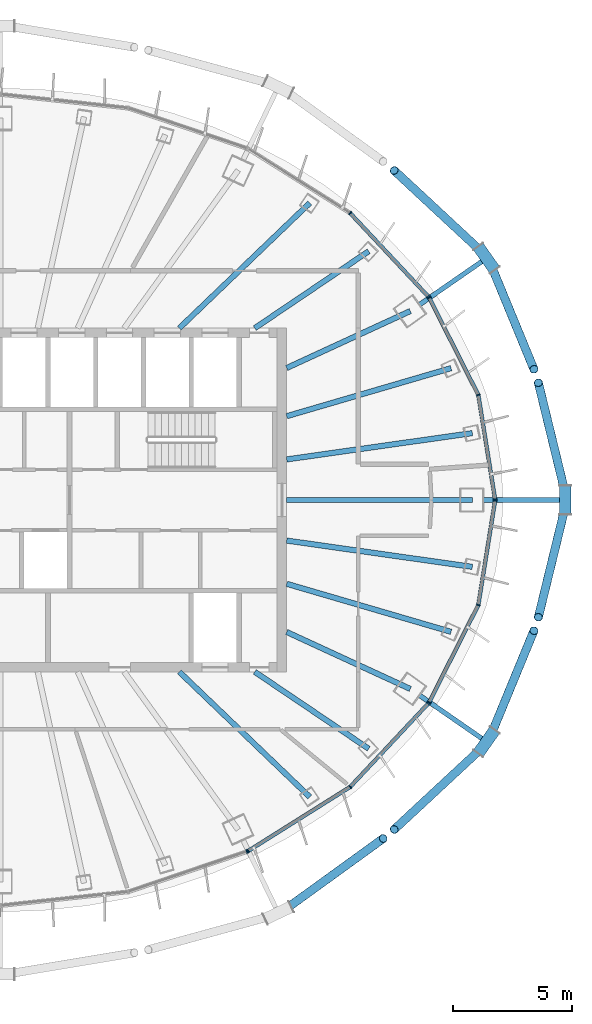
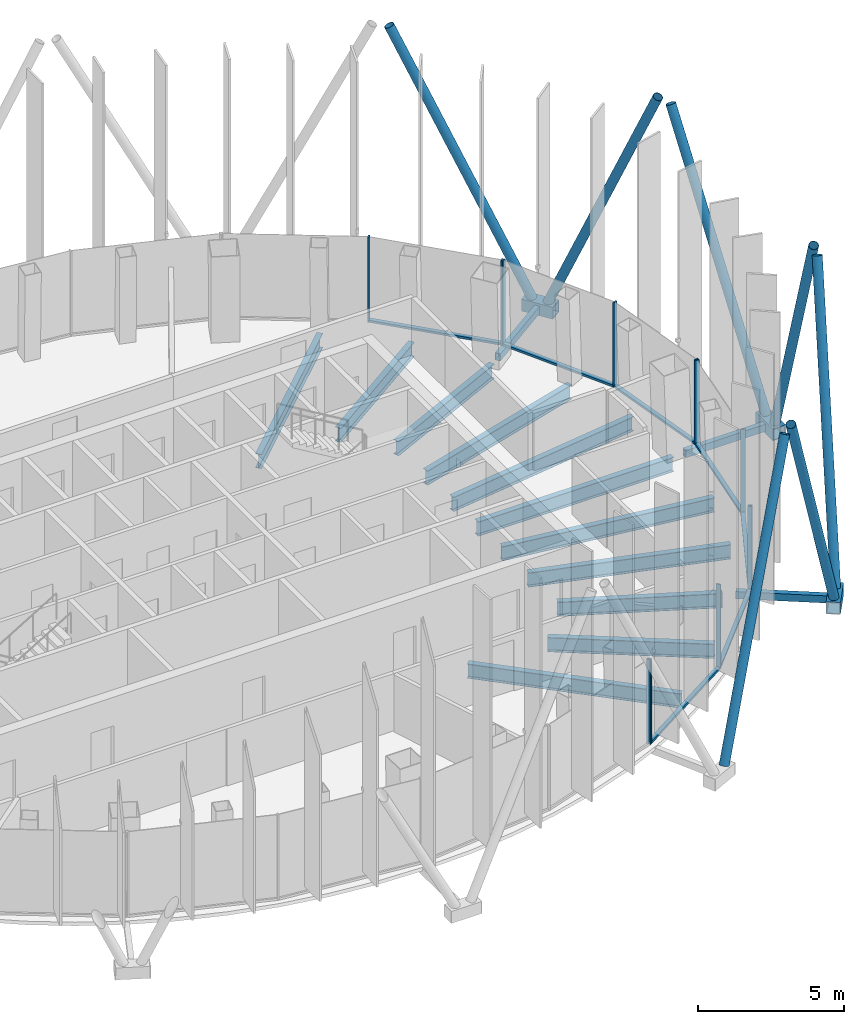
# One storey, part 6 of 19: 32 members, 11 beams, 5 elements without a shape of their own.
"""IFC4 building model written with IfcOpenShell, lengths in metres."""

from ifc_helpers import new_model, si_unit, direction, frame, origin, origin_2d, place, context, subcontext, project, spatial, rectangle, hollow_rectangle, hollow_circle, i_section, extrude, material, layer, layer_set, material_profile, profile_set, type_object, element, aggregate, save


model = new_model("IFC4")

# Units and contexts
model_context = context("Model", 3, precision=1e-05, world=origin(), true_north=direction((0.0, 1.0)))
body_context = subcontext(model_context, "Body", "Model", "MODEL_VIEW")
ifc_project = project(units=[si_unit("LENGTHUNIT", "METRE"), si_unit("AREAUNIT", "SQUARE_METRE"), si_unit("VOLUMEUNIT", "CUBIC_METRE"), si_unit("PLANEANGLEUNIT", "RADIAN"), si_unit("MASSUNIT", "GRAM", prefix="KILO")], contexts=[model_context])

# Site, building, storey
site_placement = place(None, origin())
site = spatial("IfcSite", under=ifc_project, at=site_placement, CompositionType="ELEMENT")
building_placement = place(site_placement, origin())
building = spatial("IfcBuilding", under=site, at=building_placement, Name="Siaravel Broadcast Tower", CompositionType="ELEMENT")
storey_placement = place(building_placement, frame((0.0, 0.0, 250.39990234375)))
storey = spatial("IfcBuildingStorey", under=building, at=storey_placement, Name="L61", CompositionType="ELEMENT", Elevation=250.39990234375)

# Beams
ifc_material_1 = material(Name="Steel S355", Category="steel")
ifc_material_profile_1 = material_profile(ifc_material_1, i_section(OverallWidth=0.2275390625, OverallDepth=0.6025390625, WebThickness=0.010498046875, FlangeThickness=0.014892578125, FilletRadius=0.0126953125, at=origin_2d()))
ifc_profile_set_1 = profile_set([ifc_material_profile_1], Name="Steel S355")
beam_type = type_object("IfcBeamType", Name="BM-UB 610x229x101", PredefinedType="BEAM", material=ifc_profile_set_1)
beam_1_placement = place(storey_placement, frame((19.775634765625, 0.0, -0.451171875), z_axis=(-1.0, 0.0, 0.0), x_axis=(0.0, -1.0, 0.0)))
element("IfcBeam", 1, at=beam_1_placement, inside=storey, type_object=beam_type, Name="Radial beam RB01", PredefinedType="BEAM", context=body_context, shape_type="SweptSolid", body=[
    extrude(i_section(OverallWidth=0.2275390625, OverallDepth=0.6025390625, WebThickness=0.010498046875, FlangeThickness=0.014892578125, FilletRadius=0.0126953125, at=origin_2d()), origin(), (0.0, 0.0, 1.0), 7.775634765625),
])
beam_2_placement = place(storey_placement, frame((19.776611328125, 2.801025390625, -0.451171875), z_axis=(-0.990120349, -0.140220164, 0.0), x_axis=(0.140220164, -0.990120349, 0.0)))
element("IfcBeam", 2, at=beam_2_placement, inside=storey, type_object=beam_type, Name="Radial beam RB02", PredefinedType="BEAM", context=body_context, shape_type="SweptSolid", body=[
    extrude(i_section(OverallWidth=0.2275390625, OverallDepth=0.6025390625, WebThickness=0.010498046875, FlangeThickness=0.014892578125, FilletRadius=0.0126953125, at=origin_2d()), origin(), (0.0, 0.0, 1.0), 7.854248046875),
])
beam_3_placement = place(storey_placement, frame((18.8857421875, 5.523681640625, -0.451171875), z_axis=(-0.959790868, -0.280716029, 0.0), x_axis=(0.280716029, -0.959790868, 0.0)))
element("IfcBeam", 3, at=beam_3_placement, inside=storey, type_object=beam_type, Name="Radial beam RB03", PredefinedType="BEAM", context=body_context, shape_type="SweptSolid", body=[
    extrude(i_section(OverallWidth=0.2275390625, OverallDepth=0.6025390625, WebThickness=0.010498046875, FlangeThickness=0.014892578125, FilletRadius=0.0126953125, at=origin_2d()), origin(), (0.0, 0.0, 1.0), 7.17431640625),
])
beam_4_placement = place(storey_placement, frame((17.1796875, 7.916015625, -0.451171875), z_axis=(-0.908219817, -0.418493445, 0.0), x_axis=(0.418493445, -0.908219817, 0.0)))
element("IfcBeam", 4, at=beam_4_placement, inside=storey, type_object=beam_type, Name="Radial beam RB04", PredefinedType="BEAM", context=body_context, shape_type="SweptSolid", body=[
    extrude(i_section(OverallWidth=0.2275390625, OverallDepth=0.6025390625, WebThickness=0.010498046875, FlangeThickness=0.014892578125, FilletRadius=0.0126953125, at=origin_2d()), origin(), (0.0, 0.0, 1.0), 5.703125),
])
beam_5_placement = place(storey_placement, frame((15.432861328125, 10.4189453125, -0.451171875), z_axis=(-0.828804394, -0.55953845, 0.0), x_axis=(0.55953845, -0.828804394, 0.0)))
element("IfcBeam", 5, at=beam_5_placement, inside=storey, type_object=beam_type, Name="Radial beam RB05", PredefinedType="BEAM", context=body_context, shape_type="SweptSolid", body=[
    extrude(i_section(OverallWidth=0.2275390625, OverallDepth=0.6025390625, WebThickness=0.010498046875, FlangeThickness=0.014892578125, FilletRadius=0.0126953125, at=origin_2d()), origin(), (0.0, 0.0, 1.0), 5.7529296875),
])
for number, where, z_axis, x_axis, name in (
    (6, (12.965576171875, 12.439697265625, -0.451171875), (-0.721584548, -0.692326325, 0.0), (0.692326325, -0.721584548, 0.0), "Radial beam RB06"),
    (7, (12.965576171875, -12.439697265625, -0.451171875), (-0.721584548, 0.692326325, 0.0), (-0.692326325, -0.721584548, 0.0), "Radial beam RB32"),
):
    element("IfcBeam", number, at=place(storey_placement, frame(where, z_axis=z_axis, x_axis=x_axis)), inside=storey, type_object=beam_type, Name=name, PredefinedType="BEAM", context=body_context, shape_type="SweptSolid", body=[
        extrude(i_section(OverallWidth=0.2275390625, OverallDepth=0.6025390625, WebThickness=0.010498046875, FlangeThickness=0.014892578125, FilletRadius=0.0126953125, at=origin_2d()), origin(), (0.0, 0.0, 1.0), 7.568359375),
    ])
beam_6_placement = place(storey_placement, frame((15.432861328125, -10.4189453125, -0.451171875), z_axis=(-0.828804394, 0.55953845, 0.0), x_axis=(-0.55953845, -0.828804394, 0.0)))
element("IfcBeam", 8, at=beam_6_placement, inside=storey, type_object=beam_type, Name="Radial beam RB33", PredefinedType="BEAM", context=body_context, shape_type="SweptSolid", body=[
    extrude(i_section(OverallWidth=0.2275390625, OverallDepth=0.6025390625, WebThickness=0.010498046875, FlangeThickness=0.014892578125, FilletRadius=0.0126953125, at=origin_2d()), origin(), (0.0, 0.0, 1.0), 5.7529296875),
])
beam_7_placement = place(storey_placement, frame((17.1796875, -7.916015625, -0.451171875), z_axis=(-0.908219817, 0.418493445, 0.0), x_axis=(-0.418493445, -0.908219817, 0.0)))
element("IfcBeam", 9, at=beam_7_placement, inside=storey, type_object=beam_type, Name="Radial beam RB34", PredefinedType="BEAM", context=body_context, shape_type="SweptSolid", body=[
    extrude(i_section(OverallWidth=0.2275390625, OverallDepth=0.6025390625, WebThickness=0.010498046875, FlangeThickness=0.014892578125, FilletRadius=0.0126953125, at=origin_2d()), origin(), (0.0, 0.0, 1.0), 5.703125),
])
beam_8_placement = place(storey_placement, frame((18.8857421875, -5.523681640625, -0.451171875), z_axis=(-0.959790868, 0.280716029, 0.0), x_axis=(-0.280716029, -0.959790868, 0.0)))
element("IfcBeam", 10, at=beam_8_placement, inside=storey, type_object=beam_type, Name="Radial beam RB35", PredefinedType="BEAM", context=body_context, shape_type="SweptSolid", body=[
    extrude(i_section(OverallWidth=0.2275390625, OverallDepth=0.6025390625, WebThickness=0.010498046875, FlangeThickness=0.014892578125, FilletRadius=0.0126953125, at=origin_2d()), origin(), (0.0, 0.0, 1.0), 7.17431640625),
])
beam_9_placement = place(storey_placement, frame((19.776611328125, -2.801025390625, -0.451171875), z_axis=(-0.990120349, 0.140220164, 0.0), x_axis=(-0.140220164, -0.990120349, 0.0)))
element("IfcBeam", 11, at=beam_9_placement, inside=storey, type_object=beam_type, Name="Radial beam RB36", PredefinedType="BEAM", context=body_context, shape_type="SweptSolid", body=[
    extrude(i_section(OverallWidth=0.2275390625, OverallDepth=0.6025390625, WebThickness=0.010498046875, FlangeThickness=0.014892578125, FilletRadius=0.0126953125, at=origin_2d()), origin(), (0.0, 0.0, 1.0), 7.854248046875),
])

# Curtain wall, members
ifc_material_2 = material(Name="Aluminium 6063-T6", Category="aluminium")
ifc_layer = layer(ifc_material_2, 0.159912109375)
ifc_layer_set = layer_set([ifc_layer], Name="Aluminium 6063-T6")
curtain_wall_type = type_object("IfcCurtainWallType", Name="Unitised curtain wall, zone 4", PredefinedType="NOTDEFINED", material=ifc_layer_set)
curtain_wall_1_placement = place(storey_placement, origin())
curtain_wall_1 = element("IfcCurtainWall", 12, at=curtain_wall_1_placement, inside=storey, type_object=curtain_wall_type, Name="L61 Unitised curtain wall, zone 4 01", PredefinedType="NOTDEFINED")
ifc_material_profile_2 = material_profile(ifc_material_2, rectangle(XDim=0.159912109375, YDim=0.054931640625, at=origin_2d()))
ifc_profile_set_2 = profile_set([ifc_material_profile_2], Name="Aluminium 6063-T6")
member_type_1 = type_object("IfcMemberType", Name="CW-Z4 mullion", PredefinedType="MULLION", material=ifc_profile_set_2)
member_1_placement = place(storey_placement, frame((20.729248046875, 0.027099609375, 0.0), z_axis=(0.0, 0.0, 1.0), x_axis=(-0.987329322, -0.158684626, 0.0)))
member_1 = element("IfcMember", 13, at=member_1_placement, type_object=member_type_1, Name="CW-Z4 mullion 1", PredefinedType="MULLION", context=body_context, shape_type="SweptSolid", body=[
    extrude(rectangle(XDim=0.159912109375, YDim=0.054931640625, at=origin_2d()), origin(), (0.0, 0.0, 1.0), 3.550048828125),
])
member_2_placement = place(storey_placement, frame((20.0263671875, 4.400390625, 0.0), z_axis=(0.0, 0.0, 1.0), x_axis=(-0.951177667, -0.30864388, 0.0)))
member_2 = element("IfcMember", 14, at=member_2_placement, type_object=member_type_1, Name="CW-Z4 mullion 2", PredefinedType="MULLION", context=body_context, shape_type="SweptSolid", body=[
    extrude(rectangle(XDim=0.159912109375, YDim=0.054931640625, at=origin_2d()), origin(), (0.0, 0.0, 1.0), 3.550048828125),
])
member_3_placement = place(storey_placement, frame((17.9658203125, 8.475341796875, 0.0), z_axis=(0.0, 0.0, 1.0), x_axis=(-0.892393007, -0.45125904, 0.0)))
member_3 = element("IfcMember", 15, at=member_3_placement, type_object=member_type_1, Name="CW-Z4 mullion 3", PredefinedType="MULLION", context=body_context, shape_type="SweptSolid", body=[
    extrude(rectangle(XDim=0.159912109375, YDim=0.054931640625, at=origin_2d()), origin(), (0.0, 0.0, 1.0), 3.550048828125),
])

curtain_wall_2_placement = place(storey_placement, origin())
curtain_wall_2 = element("IfcCurtainWall", 16, at=curtain_wall_2_placement, inside=storey, type_object=curtain_wall_type, Name="L61 Unitised curtain wall, zone 4 02", PredefinedType="NOTDEFINED")
member_4_placement = place(storey_placement, frame((17.9345703125, 8.52001953125, 0.0), z_axis=(0.0, 0.0, 1.0), x_axis=(-0.729806711, -0.683653541, 0.0)))
member_4 = element("IfcMember", 17, at=member_4_placement, type_object=member_type_1, Name="CW-Z4 mullion 1", PredefinedType="MULLION", context=body_context, shape_type="SweptSolid", body=[
    extrude(rectangle(XDim=0.159912109375, YDim=0.054931640625, at=origin_2d()), origin(), (0.0, 0.0, 1.0), 3.550048828125),
])
member_5_placement = place(storey_placement, frame((14.6572265625, 12.0185546875, 0.0), z_axis=(0.0, 0.0, 1.0), x_axis=(-0.636220107, -0.771507599, 0.0)))
member_5 = element("IfcMember", 18, at=member_5_placement, type_object=member_type_1, Name="CW-Z4 mullion 2", PredefinedType="MULLION", context=body_context, shape_type="SweptSolid", body=[
    extrude(rectangle(XDim=0.159912109375, YDim=0.054931640625, at=origin_2d()), origin(), (0.0, 0.0, 1.0), 3.550048828125),
])

# Curtain wall, member
curtain_wall_3_placement = place(storey_placement, origin())
curtain_wall_3 = element("IfcCurtainWall", 19, at=curtain_wall_3_placement, inside=storey, type_object=curtain_wall_type, Name="L61 Unitised curtain wall, zone 4 10", PredefinedType="NOTDEFINED")
member_6_placement = place(storey_placement, frame((10.337158203125, -14.726318359375, 0.0), z_axis=(0.0, 0.0, 1.0), x_axis=(-0.321301584, 0.946976923, 0.0)))
member_6 = element("IfcMember", 20, at=member_6_placement, type_object=member_type_1, Name="CW-Z4 mullion 3", PredefinedType="MULLION", context=body_context, shape_type="SweptSolid", body=[
    extrude(rectangle(XDim=0.159912109375, YDim=0.054931640625, at=origin_2d()), origin(), (0.0, 0.0, 1.0), 3.550048828125),
])
aggregate(curtain_wall_3, [member_6])

# Curtain wall, members
curtain_wall_4_placement = place(storey_placement, origin())
curtain_wall_4 = element("IfcCurtainWall", 21, at=curtain_wall_4_placement, inside=storey, type_object=curtain_wall_type, Name="L61 Unitised curtain wall, zone 4 11", PredefinedType="NOTDEFINED")
member_7_placement = place(storey_placement, frame((10.386474609375, -14.702880859375, 0.0), z_axis=(0.0, 0.0, 1.0), x_axis=(-0.532150638, 0.84664969, 0.0)))
member_7 = element("IfcMember", 22, at=member_7_placement, type_object=member_type_1, Name="CW-Z4 mullion 1", PredefinedType="MULLION", context=body_context, shape_type="SweptSolid", body=[
    extrude(rectangle(XDim=0.159912109375, YDim=0.054931640625, at=origin_2d()), origin(), (0.0, 0.0, 1.0), 3.550048828125),
])
member_8_placement = place(storey_placement, frame((14.6572265625, -12.0185546875, 0.0), z_axis=(0.0, 0.0, 1.0), x_axis=(-0.636220107, 0.771507599, 0.0)))
member_8 = element("IfcMember", 23, at=member_8_placement, type_object=member_type_1, Name="CW-Z4 mullion 2", PredefinedType="MULLION", context=body_context, shape_type="SweptSolid", body=[
    extrude(rectangle(XDim=0.159912109375, YDim=0.054931640625, at=origin_2d()), origin(), (0.0, 0.0, 1.0), 3.550048828125),
])
member_9_placement = place(storey_placement, frame((17.9345703125, -8.52001953125, 0.0), z_axis=(0.0, 0.0, 1.0), x_axis=(-0.729806711, 0.683653541, 0.0)))
member_9 = element("IfcMember", 24, at=member_9_placement, type_object=member_type_1, Name="CW-Z4 mullion 3", PredefinedType="MULLION", context=body_context, shape_type="SweptSolid", body=[
    extrude(rectangle(XDim=0.159912109375, YDim=0.054931640625, at=origin_2d()), origin(), (0.0, 0.0, 1.0), 3.550048828125),
])

curtain_wall_5_placement = place(storey_placement, origin())
curtain_wall_5 = element("IfcCurtainWall", 25, at=curtain_wall_5_placement, inside=storey, type_object=curtain_wall_type, Name="L61 Unitised curtain wall, zone 4 12", PredefinedType="NOTDEFINED")
member_10_placement = place(storey_placement, frame((17.9658203125, -8.475341796875, 0.0), z_axis=(0.0, 0.0, 1.0), x_axis=(-0.892393007, 0.45125904, 0.0)))
member_10 = element("IfcMember", 26, at=member_10_placement, type_object=member_type_1, Name="CW-Z4 mullion 1", PredefinedType="MULLION", context=body_context, shape_type="SweptSolid", body=[
    extrude(rectangle(XDim=0.159912109375, YDim=0.054931640625, at=origin_2d()), origin(), (0.0, 0.0, 1.0), 3.550048828125),
])
member_11_placement = place(storey_placement, frame((20.0263671875, -4.400390625, 0.0), z_axis=(0.0, 0.0, 1.0), x_axis=(-0.951177667, 0.30864388, 0.0)))
member_11 = element("IfcMember", 27, at=member_11_placement, type_object=member_type_1, Name="CW-Z4 mullion 2", PredefinedType="MULLION", context=body_context, shape_type="SweptSolid", body=[
    extrude(rectangle(XDim=0.159912109375, YDim=0.054931640625, at=origin_2d()), origin(), (0.0, 0.0, 1.0), 3.550048828125),
])
member_12_placement = place(storey_placement, frame((20.729248046875, -0.027099609375, 0.0), z_axis=(0.0, 0.0, 1.0), x_axis=(-0.987329322, 0.158684626, 0.0)))
member_12 = element("IfcMember", 28, at=member_12_placement, type_object=member_type_1, Name="CW-Z4 mullion 3", PredefinedType="MULLION", context=body_context, shape_type="SweptSolid", body=[
    extrude(rectangle(XDim=0.159912109375, YDim=0.054931640625, at=origin_2d()), origin(), (0.0, 0.0, 1.0), 3.550048828125),
])

# Member
ifc_material_profile_3 = material_profile(ifc_material_2, rectangle(XDim=0.159912109375, YDim=0.090087890625, at=origin_2d()))
ifc_profile_set_3 = profile_set([ifc_material_profile_3], Name="Aluminium 6063-T6")
member_type_2 = type_object("IfcMemberType", Name="CW-Z4 transom", PredefinedType="USERDEFINED", material=ifc_profile_set_3)
member_13_placement = place(storey_placement, frame((20.724853515625, 0.05419921875, 0.045166015625), z_axis=(-0.158667409, 0.987332089, 0.0), x_axis=(-0.987332089, -0.158667409, 0.0)))
member_13 = element("IfcMember", 29, at=member_13_placement, type_object=member_type_2, Name="CW-Z4 transom 1", ObjectType="TRANSOM", PredefinedType="USERDEFINED", context=body_context, shape_type="SweptSolid", body=[
    extrude(rectangle(XDim=0.159912109375, YDim=0.090087890625, at=origin_2d()), origin(), (0.0, 0.0, 1.0), 4.37451171875),
])

member_14_placement = place(storey_placement, frame((20.013916015625, 4.425048828125, 0.045166015625), z_axis=(-0.451257233, 0.892393921, 0.0), x_axis=(-0.892393921, -0.451257233, 0.0)))
member_14 = element("IfcMember", 30, at=member_14_placement, type_object=member_type_2, Name="CW-Z4 transom 2", ObjectType="TRANSOM", PredefinedType="USERDEFINED", context=body_context, shape_type="SweptSolid", body=[
    extrude(rectangle(XDim=0.159912109375, YDim=0.090087890625, at=origin_2d()), origin(), (0.0, 0.0, 1.0), 4.510986328125),
])

aggregate(curtain_wall_1, [member_1, member_2, member_3, member_13, member_14])

member_15_placement = place(storey_placement, frame((17.915771484375, 8.5400390625, 0.045166015625), z_axis=(-0.683649743, 0.729810269, 0.0), x_axis=(-0.729810269, -0.683649743, 0.0)))
member_15 = element("IfcMember", 31, at=member_15_placement, type_object=member_type_2, Name="CW-Z4 transom 1", ObjectType="TRANSOM", PredefinedType="USERDEFINED", context=body_context, shape_type="SweptSolid", body=[
    extrude(rectangle(XDim=0.159912109375, YDim=0.090087890625, at=origin_2d()), origin(), (0.0, 0.0, 1.0), 4.739013671875),
])

aggregate(curtain_wall_2, [member_4, member_5, member_15])

member_16_placement = place(storey_placement, frame((10.40966796875, -14.688232421875, 0.045166015625), z_axis=(0.846648518, 0.532152504, 0.0), x_axis=(-0.532152504, 0.846648518, 0.0)))
member_16 = element("IfcMember", 32, at=member_16_placement, type_object=member_type_2, Name="CW-Z4 transom 1", ObjectType="TRANSOM", PredefinedType="USERDEFINED", context=body_context, shape_type="SweptSolid", body=[
    extrude(rectangle(XDim=0.159912109375, YDim=0.090087890625, at=origin_2d()), origin(), (0.0, 0.0, 1.0), 4.9892578125),
])

member_17_placement = place(storey_placement, frame((14.676025390625, -11.99853515625, 0.045166015625), z_axis=(0.683649743, 0.729810269, 0.0), x_axis=(-0.729810269, 0.683649743, 0.0)))
member_17 = element("IfcMember", 33, at=member_17_placement, type_object=member_type_2, Name="CW-Z4 transom 2", ObjectType="TRANSOM", PredefinedType="USERDEFINED", context=body_context, shape_type="SweptSolid", body=[
    extrude(rectangle(XDim=0.159912109375, YDim=0.090087890625, at=origin_2d()), origin(), (0.0, 0.0, 1.0), 4.739013671875),
])

aggregate(curtain_wall_4, [member_7, member_8, member_9, member_16, member_17])

member_18_placement = place(storey_placement, frame((17.978271484375, -8.45068359375, 0.045166015625), z_axis=(0.451257233, 0.892393921, 0.0), x_axis=(-0.892393921, 0.451257233, 0.0)))
member_18 = element("IfcMember", 34, at=member_18_placement, type_object=member_type_2, Name="CW-Z4 transom 1", ObjectType="TRANSOM", PredefinedType="USERDEFINED", context=body_context, shape_type="SweptSolid", body=[
    extrude(rectangle(XDim=0.159912109375, YDim=0.090087890625, at=origin_2d()), origin(), (0.0, 0.0, 1.0), 4.510986328125),
])

member_19_placement = place(storey_placement, frame((20.03076171875, -4.373291015625, 0.045166015625), z_axis=(0.158667409, 0.987332089, 0.0), x_axis=(-0.987332089, 0.158667409, 0.0)))
member_19 = element("IfcMember", 35, at=member_19_placement, type_object=member_type_2, Name="CW-Z4 transom 2", ObjectType="TRANSOM", PredefinedType="USERDEFINED", context=body_context, shape_type="SweptSolid", body=[
    extrude(rectangle(XDim=0.159912109375, YDim=0.090087890625, at=origin_2d()), origin(), (0.0, 0.0, 1.0), 4.37451171875),
])

aggregate(curtain_wall_5, [member_10, member_11, member_12, member_18, member_19])

# Members
ifc_material_3 = material(Name="Steel S460", Category="steel")
ifc_material_profile_4 = material_profile(ifc_material_3, hollow_circle(Radius=0.177734375, WallThickness=0.012451171875, at=origin_2d()))
ifc_profile_set_4 = profile_set([ifc_material_profile_4], Name="Steel S460")
member_type_3 = type_object("IfcMemberType", Name="Diagrid diagonal CHS 355.6x12.5", PredefinedType="BRACE", material=ifc_profile_set_4)
for number, where, z_axis, x_axis, name in (
    (36, (23.667724609375, -0.295654296875, 0.02001953125), (-0.096452736, -0.395558715, 0.913362016), (0.971534472, -0.236898226, 0.0), "Diagrid diagonal R25 station 00C"),
    (37, (23.667724609375, 0.295654296875, 0.02001953125), (-0.096452736, 0.395558715, 0.913362016), (-0.971534472, -0.236898226, 0.0), "Diagrid diagonal R25 station 00A"),
):
    element("IfcMember", number, at=place(storey_placement, frame(where, z_axis=z_axis, x_axis=x_axis)), inside=storey, type_object=member_type_3, Name=name, PredefinedType="BRACE", context=body_context, shape_type="SweptSolid", body=[
        extrude(hollow_circle(Radius=0.177734375, WallThickness=0.012451171875, at=origin_2d()), origin(), (0.0, 0.0, 1.0), 11.67138671875),
    ])
member_20_placement = place(storey_placement, frame((20.540771484375, 9.884765625, 0.02001953125), z_axis=(0.155613131, -0.377660777, 0.912774282), x_axis=(0.92458692, 0.380971163, 0.0)))
element("IfcMember", 38, at=member_20_placement, inside=storey, type_object=member_type_3, Name="Diagrid diagonal R25 station 06C", PredefinedType="BRACE", context=body_context, shape_type="SweptSolid", body=[
    extrude(hollow_circle(Radius=0.177734375, WallThickness=0.012451171875, at=origin_2d()), origin(), (0.0, 0.0, 1.0), 11.678955078125),
])
member_21_placement = place(storey_placement, frame((20.2001953125, 10.367919921875, 0.02001953125), z_axis=(-0.313561606, 0.291310717, 0.90377939), x_axis=(-0.680634718, -0.732622946, 0.0)))
element("IfcMember", 39, at=member_21_placement, inside=storey, type_object=member_type_3, Name="Diagrid diagonal R25 station 06A", PredefinedType="BRACE", context=body_context, shape_type="SweptSolid", body=[
    extrude(hollow_circle(Radius=0.177734375, WallThickness=0.012451171875, at=origin_2d()), origin(), (0.0, 0.0, 1.0), 11.795166015625),
])
member_22_placement = place(storey_placement, frame((11.91259765625, -17.1689453125, 0.02001953125), z_axis=(0.349638066, 0.253035159, 0.902067864), x_axis=(-0.586280234, 0.810108318, 0.0)))
element("IfcMember", 40, at=member_22_placement, inside=storey, type_object=member_type_3, Name="Diagrid diagonal R25 station 60A", PredefinedType="BRACE", context=body_context, shape_type="SweptSolid", body=[
    extrude(hollow_circle(Radius=0.177734375, WallThickness=0.012451171875, at=origin_2d()), origin(), (0.0, 0.0, 1.0), 11.8173828125),
])
member_23_placement = place(storey_placement, frame((20.2001953125, -10.367919921875, 0.02001953125), z_axis=(-0.313561606, -0.291310717, 0.90377939), x_axis=(0.680634718, -0.732622946, 0.0)))
element("IfcMember", 41, at=member_23_placement, inside=storey, type_object=member_type_3, Name="Diagrid diagonal R25 station 66C", PredefinedType="BRACE", context=body_context, shape_type="SweptSolid", body=[
    extrude(hollow_circle(Radius=0.177734375, WallThickness=0.012451171875, at=origin_2d()), origin(), (0.0, 0.0, 1.0), 11.795166015625),
])
member_24_placement = place(storey_placement, frame((20.540771484375, -9.884765625, 0.02001953125), z_axis=(0.155613131, 0.377660777, 0.912774282), x_axis=(-0.92458692, 0.380971163, 0.0)))
element("IfcMember", 42, at=member_24_placement, inside=storey, type_object=member_type_3, Name="Diagrid diagonal R25 station 66A", PredefinedType="BRACE", context=body_context, shape_type="SweptSolid", body=[
    extrude(hollow_circle(Radius=0.177734375, WallThickness=0.012451171875, at=origin_2d()), origin(), (0.0, 0.0, 1.0), 11.678955078125),
])
ifc_material_profile_5 = material_profile(ifc_material_3, hollow_rectangle(XDim=0.5, YDim=0.5, WallThickness=0.031982421875, at=origin_2d()))
ifc_profile_set_5 = profile_set([ifc_material_profile_5], Name="Steel S460")
member_type_4 = type_object("IfcMemberType", Name="Diagrid node BOX 500x500x32", PredefinedType="USERDEFINED", material=ifc_profile_set_5)
member_25_placement = place(storey_placement, frame((23.667724609375, -0.593505859375, -0.199951171875), z_axis=(0.0, 1.0, 0.0), x_axis=(-1.0, 0.0, 0.0)))
element("IfcMember", 43, at=member_25_placement, inside=storey, type_object=member_type_4, Name="Diagrid node R25 station 00", ObjectType="DIAGRID NODE", PredefinedType="USERDEFINED", context=body_context, shape_type="SweptSolid", body=[
    extrude(hollow_rectangle(XDim=0.5, YDim=0.5, WallThickness=0.031982421875, at=origin_2d()), origin(), (0.0, 0.0, 1.0), 1.18701171875),
])
for number, where, z_axis, x_axis, name in (
    (44, (20.71240234375, 9.641357421875, -0.199951171875), (-0.576206583, 0.817304089, 0.0), (-0.817304089, -0.576206583, 0.0), "Diagrid node R25 station 06"),
    (45, (20.028564453125, -10.611328125, -0.199951171875), (0.576206583, 0.817304089, 0.0), (-0.817304089, 0.576206583, 0.0), "Diagrid node R25 station 66"),
):
    element("IfcMember", number, at=place(storey_placement, frame(where, z_axis=z_axis, x_axis=x_axis)), inside=storey, type_object=member_type_4, Name=name, ObjectType="DIAGRID NODE", PredefinedType="USERDEFINED", context=body_context, shape_type="SweptSolid", body=[
        extrude(hollow_rectangle(XDim=0.5, YDim=0.5, WallThickness=0.031982421875, at=origin_2d()), origin(), (0.0, 0.0, 1.0), 1.186767578125),
    ])
ifc_material_profile_6 = material_profile(ifc_material_3, hollow_rectangle(XDim=0.199951171875, YDim=0.300048828125, WallThickness=0.012451171875, at=origin_2d()))
ifc_profile_set_6 = profile_set([ifc_material_profile_6], Name="Steel S460")
member_type_5 = type_object("IfcMemberType", Name="Diagrid node arm RHS 300x200x12.5", PredefinedType="STRUT", material=ifc_profile_set_6)
member_26_placement = place(storey_placement, frame((20.24560546875, 0.0, -0.199951171875), z_axis=(1.0, 0.0, 0.0), x_axis=(0.0, 1.0, 0.0)))
element("IfcMember", 46, at=member_26_placement, inside=storey, type_object=member_type_5, Name="Node arm R25 station 00", PredefinedType="STRUT", context=body_context, shape_type="SweptSolid", body=[
    extrude(hollow_rectangle(XDim=0.199951171875, YDim=0.300048828125, WallThickness=0.012451171875, at=origin_2d()), origin(), (0.0, 0.0, 1.0), 3.2021484375),
])
for number, where, z_axis, x_axis, name in (
    (47, (17.566162109375, 8.18359375, -0.199951171875), (0.821996626, 0.569492358, 0.0), (-0.569492358, 0.821996626, 0.0), "Node arm R25 station 06"),
    (48, (17.566162109375, -8.18359375, -0.199951171875), (0.821996626, -0.569492358, 0.0), (0.569492358, 0.821996626, 0.0), "Node arm R25 station 66"),
):
    element("IfcMember", number, at=place(storey_placement, frame(where, z_axis=z_axis, x_axis=x_axis)), inside=storey, type_object=member_type_5, Name=name, PredefinedType="STRUT", context=body_context, shape_type="SweptSolid", body=[
        extrude(hollow_rectangle(XDim=0.199951171875, YDim=0.300048828125, WallThickness=0.012451171875, at=origin_2d()), origin(), (0.0, 0.0, 1.0), 3.191650390625),
    ])

save(model, "model.ifc")
